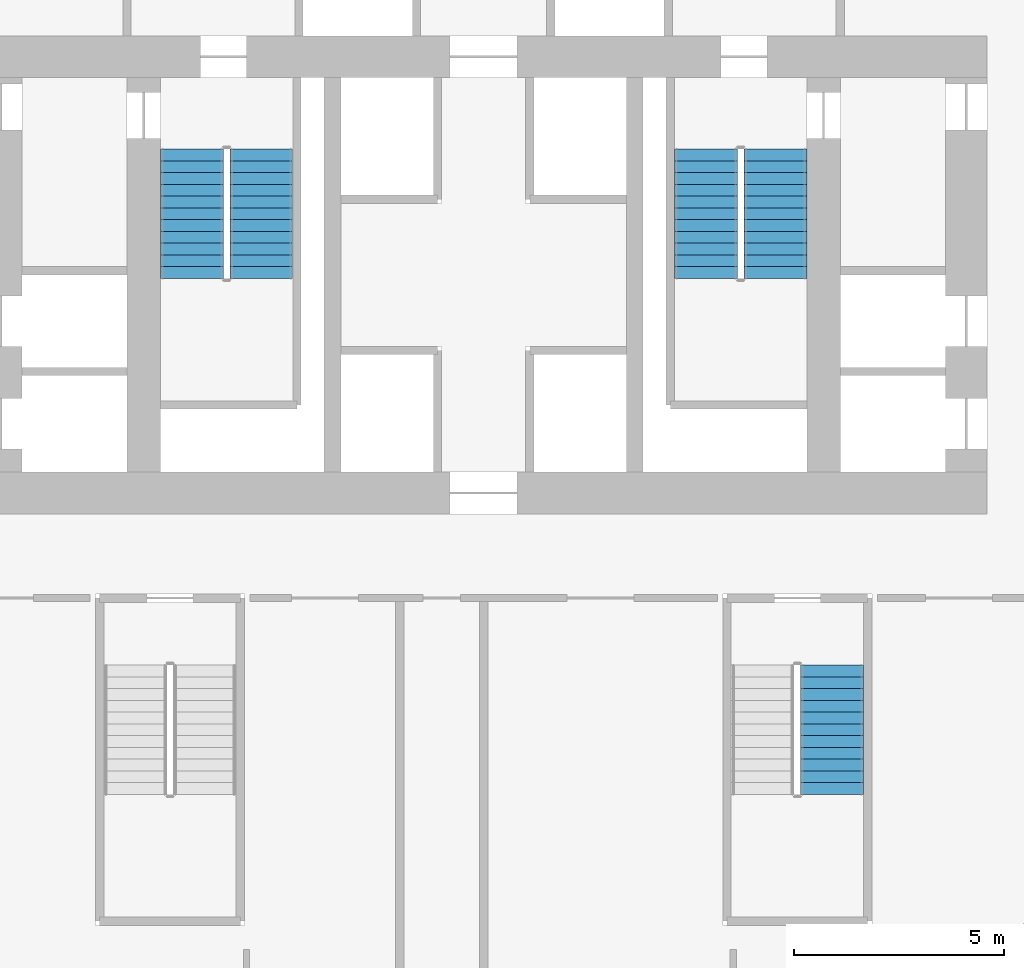
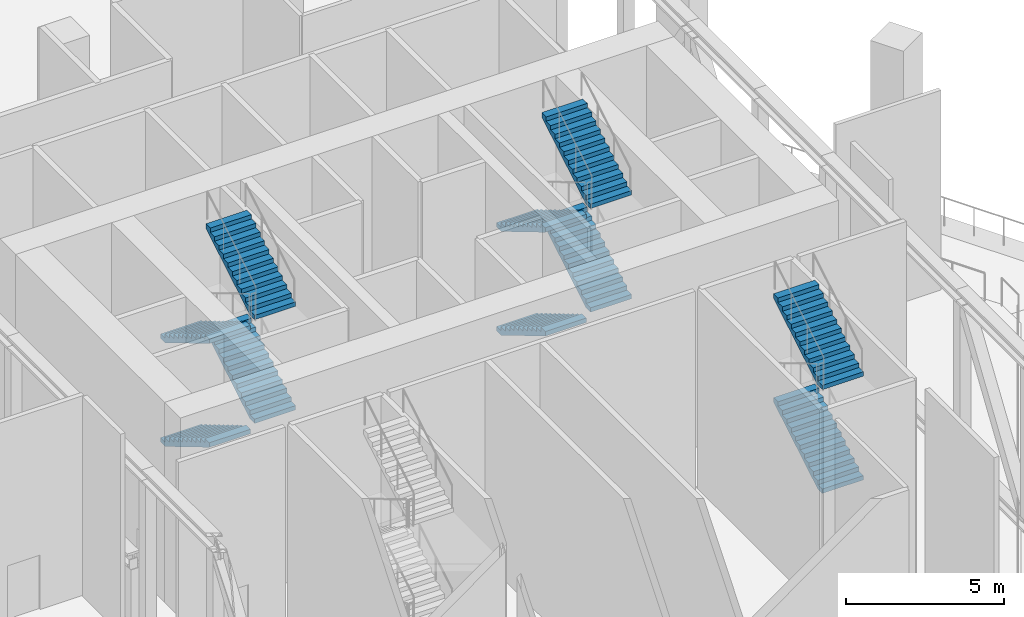
# One storey, part 7 of 16: 10 stair flights, 3 elements without a shape of their own.
"""IFC4 building model written with IfcOpenShell, lengths in metres."""

from ifc_helpers import new_model, si_unit, direction, frame, origin, place, context, subcontext, project, spatial, polyline, outline, extrude, material, type_object, element, aggregate, save


model = new_model("IFC4")

# Units and contexts
model_context = context("Model", 3, precision=1e-05, world=origin(), true_north=direction((0.0, 1.0)))
body_context = subcontext(model_context, "Body", "Model", "MODEL_VIEW")
ifc_project = project(units=[si_unit("LENGTHUNIT", "METRE"), si_unit("AREAUNIT", "SQUARE_METRE"), si_unit("VOLUMEUNIT", "CUBIC_METRE"), si_unit("PLANEANGLEUNIT", "RADIAN"), si_unit("MASSUNIT", "GRAM", prefix="KILO")], contexts=[model_context])

# Site, building, storey
site_placement = place(None, origin())
site = spatial("IfcSite", under=ifc_project, at=site_placement, CompositionType="ELEMENT")
building_placement = place(site_placement, origin())
building = spatial("IfcBuilding", under=site, at=building_placement, Name="Ostrander Bayou Hotel Tower", CompositionType="ELEMENT")
storey_placement = place(building_placement, frame((0.0, 0.0, 108.0)))
storey = spatial("IfcBuildingStorey", under=building, at=storey_placement, Name="L27", CompositionType="ELEMENT", Elevation=108.0)

# Stair, stair flights
ifc_material_1 = material(Name="Concrete f'c 45 MPa", Category="concrete")
stair_type = type_object("IfcStairType", Name="ST1 exit stair 1500 mm f'c 45 MPa", PredefinedType="HALF_TURN_STAIR", material=ifc_material_1)
stair_1_placement = place(storey_placement, origin())
stair_1 = element("IfcStair", 1, at=stair_1_placement, inside=storey, type_object=stair_type, Name="L27 exit stair A", PredefinedType="HALF_TURN_STAIR")
ifc_material_2 = material(Name="Concrete f'c 45 MPa", Category="concrete")
stair_flight_type = type_object("IfcStairFlightType", Name="SF1 stair flight 1500 mm f'c 45 MPa", PredefinedType="STRAIGHT", material=ifc_material_2)
stair_flight_1_placement = place(storey_placement, frame((-6.949951171875, 7.0, 0.0), z_axis=(0.0, 0.0, 1.0), x_axis=(0.0, -1.0, 0.0)))
stair_flight_1 = element("IfcStairFlight", 2, at=stair_flight_1_placement, type_object=stair_flight_type, Name="STA flight 1", NumberOfRisers=12, NumberOfTreads=11, PredefinedType="STRAIGHT", RiserHeight=0.166666667, TreadLength=0.28, context=body_context, shape_type="SweptSolid", body=[
    extrude(outline(polyline([(0.0, 0.0), (0.0, 0.166748046875), (0.280029296875, 0.166748046875), (0.280029296875, 0.333251953125), (0.56005859375, 0.333251953125), (0.56005859375, 0.5), (0.840087890625, 0.5), (0.840087890625, 0.666748046875), (1.1201171875, 0.666748046875), (1.1201171875, 0.833251953125), (1.39990234375, 0.833251953125), (1.39990234375, 1.0), (1.679931640625, 1.0), (1.679931640625, 1.166748046875), (1.9599609375, 1.166748046875), (1.9599609375, 1.333251953125), (2.239990234375, 1.333251953125), (2.239990234375, 1.5), (2.52001953125, 1.5), (2.52001953125, 1.666748046875), (2.800048828125, 1.666748046875), (2.800048828125, 1.833251953125), (3.080078125, 1.833251953125), (3.080078125, 2.0), (3.080078125, 1.658935546875), (0.29296875, 0.0), (0.0, 0.0)])), frame((0.0, 0.75, 0.0), z_axis=(0.0, -1.0, 0.0), x_axis=(1.0, 0.0, 0.0)), (0.0, 0.0, 1.0), 1.5),
])
stair_flight_2_placement = place(storey_placement, frame((-5.300048828125, 3.919921875, 2.0), z_axis=(0.0, 0.0, 1.0), x_axis=(0.0, 1.0, 0.0)))
stair_flight_2 = element("IfcStairFlight", 3, at=stair_flight_2_placement, type_object=stair_flight_type, Name="STA flight 2", NumberOfRisers=12, NumberOfTreads=11, PredefinedType="STRAIGHT", RiserHeight=0.166666667, TreadLength=0.28, context=body_context, shape_type="SweptSolid", body=[
    extrude(outline(polyline([(0.0, 0.0), (0.0, 0.166748046875), (0.280029296875, 0.166748046875), (0.280029296875, 0.333251953125), (0.56005859375, 0.333251953125), (0.56005859375, 0.5), (0.840087890625, 0.5), (0.840087890625, 0.666748046875), (1.1201171875, 0.666748046875), (1.1201171875, 0.833251953125), (1.39990234375, 0.833251953125), (1.39990234375, 1.0), (1.679931640625, 1.0), (1.679931640625, 1.166748046875), (1.9599609375, 1.166748046875), (1.9599609375, 1.333251953125), (2.239990234375, 1.333251953125), (2.239990234375, 1.5), (2.52001953125, 1.5), (2.52001953125, 1.666748046875), (2.800048828125, 1.666748046875), (2.800048828125, 1.833251953125), (3.080078125, 1.833251953125), (3.080078125, 2.0), (3.080078125, 1.658935546875), (0.29296875, 0.0), (0.0, 0.0)])), frame((0.0, 0.75, 0.0), z_axis=(0.0, -1.0, 0.0), x_axis=(1.0, 0.0, 0.0)), (0.0, 0.0, 1.0), 1.5),
])
stair_flight_3_placement = place(storey_placement, frame((-6.949951171875, 7.0, 4.0), z_axis=(0.0, 0.0, 1.0), x_axis=(0.0, -1.0, 0.0)))
stair_flight_3 = element("IfcStairFlight", 4, at=stair_flight_3_placement, type_object=stair_flight_type, Name="STA flight 3", NumberOfRisers=12, NumberOfTreads=11, PredefinedType="STRAIGHT", RiserHeight=0.166666667, TreadLength=0.28, context=body_context, shape_type="SweptSolid", body=[
    extrude(outline(polyline([(0.0, 0.0), (0.0, 0.166748046875), (0.280029296875, 0.166748046875), (0.280029296875, 0.333251953125), (0.56005859375, 0.333251953125), (0.56005859375, 0.5), (0.840087890625, 0.5), (0.840087890625, 0.666748046875), (1.1201171875, 0.666748046875), (1.1201171875, 0.833251953125), (1.39990234375, 0.833251953125), (1.39990234375, 1.0), (1.679931640625, 1.0), (1.679931640625, 1.166748046875), (1.9599609375, 1.166748046875), (1.9599609375, 1.333251953125), (2.239990234375, 1.333251953125), (2.239990234375, 1.5), (2.52001953125, 1.5), (2.52001953125, 1.666748046875), (2.800048828125, 1.666748046875), (2.800048828125, 1.833251953125), (3.080078125, 1.833251953125), (3.080078125, 2.0), (3.080078125, 1.658935546875), (0.29296875, 0.0), (0.0, 0.0)])), frame((0.0, 0.75, 0.0), z_axis=(0.0, -1.0, 0.0), x_axis=(1.0, 0.0, 0.0)), (0.0, 0.0, 1.0), 1.5),
])
stair_flight_4_placement = place(storey_placement, frame((-5.300048828125, 3.919921875, 6.0), z_axis=(0.0, 0.0, 1.0), x_axis=(0.0, 1.0, 0.0)))
stair_flight_4 = element("IfcStairFlight", 5, at=stair_flight_4_placement, type_object=stair_flight_type, Name="STA flight 4", NumberOfRisers=12, NumberOfTreads=11, PredefinedType="STRAIGHT", RiserHeight=0.166666667, TreadLength=0.28, context=body_context, shape_type="SweptSolid", body=[
    extrude(outline(polyline([(0.0, 0.0), (0.0, 0.166748046875), (0.280029296875, 0.166748046875), (0.280029296875, 0.333251953125), (0.56005859375, 0.333251953125), (0.56005859375, 0.5), (0.840087890625, 0.5), (0.840087890625, 0.666748046875), (1.1201171875, 0.666748046875), (1.1201171875, 0.833251953125), (1.39990234375, 0.833251953125), (1.39990234375, 1.0), (1.679931640625, 1.0), (1.679931640625, 1.166748046875), (1.9599609375, 1.166748046875), (1.9599609375, 1.333251953125), (2.239990234375, 1.333251953125), (2.239990234375, 1.5), (2.52001953125, 1.5), (2.52001953125, 1.666748046875), (2.800048828125, 1.666748046875), (2.800048828125, 1.833251953125), (3.080078125, 1.833251953125), (3.080078125, 2.0), (3.080078125, 1.658935546875), (0.29296875, 0.0), (0.0, 0.0)])), frame((0.0, 0.75, 0.0), z_axis=(0.0, -1.0, 0.0), x_axis=(1.0, 0.0, 0.0)), (0.0, 0.0, 1.0), 1.5),
])
aggregate(stair_1, [stair_flight_1, stair_flight_2, stair_flight_3, stair_flight_4])

stair_2_placement = place(storey_placement, origin())
stair_2 = element("IfcStair", 6, at=stair_2_placement, inside=storey, type_object=stair_type, Name="L27 exit stair B", PredefinedType="HALF_TURN_STAIR")
stair_flight_5_placement = place(storey_placement, frame((5.300048828125, 7.0, 0.0), z_axis=(0.0, 0.0, 1.0), x_axis=(0.0, -1.0, 0.0)))
stair_flight_5 = element("IfcStairFlight", 7, at=stair_flight_5_placement, type_object=stair_flight_type, Name="STB flight 1", NumberOfRisers=12, NumberOfTreads=11, PredefinedType="STRAIGHT", RiserHeight=0.166666667, TreadLength=0.28, context=body_context, shape_type="SweptSolid", body=[
    extrude(outline(polyline([(0.0, 0.0), (0.0, 0.166748046875), (0.280029296875, 0.166748046875), (0.280029296875, 0.333251953125), (0.56005859375, 0.333251953125), (0.56005859375, 0.5), (0.840087890625, 0.5), (0.840087890625, 0.666748046875), (1.1201171875, 0.666748046875), (1.1201171875, 0.833251953125), (1.39990234375, 0.833251953125), (1.39990234375, 1.0), (1.679931640625, 1.0), (1.679931640625, 1.166748046875), (1.9599609375, 1.166748046875), (1.9599609375, 1.333251953125), (2.239990234375, 1.333251953125), (2.239990234375, 1.5), (2.52001953125, 1.5), (2.52001953125, 1.666748046875), (2.800048828125, 1.666748046875), (2.800048828125, 1.833251953125), (3.080078125, 1.833251953125), (3.080078125, 2.0), (3.080078125, 1.658935546875), (0.29296875, 0.0), (0.0, 0.0)])), frame((0.0, 0.75, 0.0), z_axis=(0.0, -1.0, 0.0), x_axis=(1.0, 0.0, 0.0)), (0.0, 0.0, 1.0), 1.5),
])
stair_flight_6_placement = place(storey_placement, frame((6.949951171875, 3.919921875, 2.0), z_axis=(0.0, 0.0, 1.0), x_axis=(0.0, 1.0, 0.0)))
stair_flight_6 = element("IfcStairFlight", 8, at=stair_flight_6_placement, type_object=stair_flight_type, Name="STB flight 2", NumberOfRisers=12, NumberOfTreads=11, PredefinedType="STRAIGHT", RiserHeight=0.166666667, TreadLength=0.28, context=body_context, shape_type="SweptSolid", body=[
    extrude(outline(polyline([(0.0, 0.0), (0.0, 0.166748046875), (0.280029296875, 0.166748046875), (0.280029296875, 0.333251953125), (0.56005859375, 0.333251953125), (0.56005859375, 0.5), (0.840087890625, 0.5), (0.840087890625, 0.666748046875), (1.1201171875, 0.666748046875), (1.1201171875, 0.833251953125), (1.39990234375, 0.833251953125), (1.39990234375, 1.0), (1.679931640625, 1.0), (1.679931640625, 1.166748046875), (1.9599609375, 1.166748046875), (1.9599609375, 1.333251953125), (2.239990234375, 1.333251953125), (2.239990234375, 1.5), (2.52001953125, 1.5), (2.52001953125, 1.666748046875), (2.800048828125, 1.666748046875), (2.800048828125, 1.833251953125), (3.080078125, 1.833251953125), (3.080078125, 2.0), (3.080078125, 1.658935546875), (0.29296875, 0.0), (0.0, 0.0)])), frame((0.0, 0.75, 0.0), z_axis=(0.0, -1.0, 0.0), x_axis=(1.0, 0.0, 0.0)), (0.0, 0.0, 1.0), 1.5),
])
stair_flight_7_placement = place(storey_placement, frame((5.300048828125, 7.0, 4.0), z_axis=(0.0, 0.0, 1.0), x_axis=(0.0, -1.0, 0.0)))
stair_flight_7 = element("IfcStairFlight", 9, at=stair_flight_7_placement, type_object=stair_flight_type, Name="STB flight 3", NumberOfRisers=12, NumberOfTreads=11, PredefinedType="STRAIGHT", RiserHeight=0.166666667, TreadLength=0.28, context=body_context, shape_type="SweptSolid", body=[
    extrude(outline(polyline([(0.0, 0.0), (0.0, 0.166748046875), (0.280029296875, 0.166748046875), (0.280029296875, 0.333251953125), (0.56005859375, 0.333251953125), (0.56005859375, 0.5), (0.840087890625, 0.5), (0.840087890625, 0.666748046875), (1.1201171875, 0.666748046875), (1.1201171875, 0.833251953125), (1.39990234375, 0.833251953125), (1.39990234375, 1.0), (1.679931640625, 1.0), (1.679931640625, 1.166748046875), (1.9599609375, 1.166748046875), (1.9599609375, 1.333251953125), (2.239990234375, 1.333251953125), (2.239990234375, 1.5), (2.52001953125, 1.5), (2.52001953125, 1.666748046875), (2.800048828125, 1.666748046875), (2.800048828125, 1.833251953125), (3.080078125, 1.833251953125), (3.080078125, 2.0), (3.080078125, 1.658935546875), (0.29296875, 0.0), (0.0, 0.0)])), frame((0.0, 0.75, 0.0), z_axis=(0.0, -1.0, 0.0), x_axis=(1.0, 0.0, 0.0)), (0.0, 0.0, 1.0), 1.5),
])
stair_flight_8_placement = place(storey_placement, frame((6.949951171875, 3.919921875, 6.0), z_axis=(0.0, 0.0, 1.0), x_axis=(0.0, 1.0, 0.0)))
stair_flight_8 = element("IfcStairFlight", 10, at=stair_flight_8_placement, type_object=stair_flight_type, Name="STB flight 4", NumberOfRisers=12, NumberOfTreads=11, PredefinedType="STRAIGHT", RiserHeight=0.166666667, TreadLength=0.28, context=body_context, shape_type="SweptSolid", body=[
    extrude(outline(polyline([(0.0, 0.0), (0.0, 0.166748046875), (0.280029296875, 0.166748046875), (0.280029296875, 0.333251953125), (0.56005859375, 0.333251953125), (0.56005859375, 0.5), (0.840087890625, 0.5), (0.840087890625, 0.666748046875), (1.1201171875, 0.666748046875), (1.1201171875, 0.833251953125), (1.39990234375, 0.833251953125), (1.39990234375, 1.0), (1.679931640625, 1.0), (1.679931640625, 1.166748046875), (1.9599609375, 1.166748046875), (1.9599609375, 1.333251953125), (2.239990234375, 1.333251953125), (2.239990234375, 1.5), (2.52001953125, 1.5), (2.52001953125, 1.666748046875), (2.800048828125, 1.666748046875), (2.800048828125, 1.833251953125), (3.080078125, 1.833251953125), (3.080078125, 2.0), (3.080078125, 1.658935546875), (0.29296875, 0.0), (0.0, 0.0)])), frame((0.0, 0.75, 0.0), z_axis=(0.0, -1.0, 0.0), x_axis=(1.0, 0.0, 0.0)), (0.0, 0.0, 1.0), 1.5),
])
aggregate(stair_2, [stair_flight_5, stair_flight_6, stair_flight_7, stair_flight_8])

stair_3_placement = place(storey_placement, origin())
stair_3 = element("IfcStair", 11, at=stair_3_placement, inside=storey, type_object=stair_type, Name="L27 exit stair C", PredefinedType="HALF_TURN_STAIR")
stair_flight_9_placement = place(storey_placement, frame((8.300048828125, -8.3798828125, 2.0), z_axis=(0.0, 0.0, 1.0), x_axis=(0.0, 1.0, 0.0)))
stair_flight_9 = element("IfcStairFlight", 12, at=stair_flight_9_placement, type_object=stair_flight_type, Name="STC flight 2", NumberOfRisers=12, NumberOfTreads=11, PredefinedType="STRAIGHT", RiserHeight=0.166666667, TreadLength=0.28, context=body_context, shape_type="SweptSolid", body=[
    extrude(outline(polyline([(0.0, 0.0), (0.0, 0.166748046875), (0.280029296875, 0.166748046875), (0.280029296875, 0.333251953125), (0.56005859375, 0.333251953125), (0.56005859375, 0.5), (0.840087890625, 0.5), (0.840087890625, 0.666748046875), (1.1201171875, 0.666748046875), (1.1201171875, 0.833251953125), (1.39990234375, 0.833251953125), (1.39990234375, 1.0), (1.679931640625, 1.0), (1.679931640625, 1.166748046875), (1.9599609375, 1.166748046875), (1.9599609375, 1.333251953125), (2.239990234375, 1.333251953125), (2.239990234375, 1.5), (2.52001953125, 1.5), (2.52001953125, 1.666748046875), (2.800048828125, 1.666748046875), (2.800048828125, 1.833251953125), (3.080078125, 1.833251953125), (3.080078125, 2.0), (3.080078125, 1.658935546875), (0.29296875, 0.0), (0.0, 0.0)])), frame((0.0, 0.75, 0.0), z_axis=(0.0, -1.0, 0.0), x_axis=(1.0, 0.0, 0.0)), (0.0, 0.0, 1.0), 1.5),
])
stair_flight_10_placement = place(storey_placement, frame((8.300048828125, -8.3798828125, 6.0), z_axis=(0.0, 0.0, 1.0), x_axis=(0.0, 1.0, 0.0)))
stair_flight_10 = element("IfcStairFlight", 13, at=stair_flight_10_placement, type_object=stair_flight_type, Name="STC flight 4", NumberOfRisers=12, NumberOfTreads=11, PredefinedType="STRAIGHT", RiserHeight=0.166666667, TreadLength=0.28, context=body_context, shape_type="SweptSolid", body=[
    extrude(outline(polyline([(0.0, 0.0), (0.0, 0.166748046875), (0.280029296875, 0.166748046875), (0.280029296875, 0.333251953125), (0.56005859375, 0.333251953125), (0.56005859375, 0.5), (0.840087890625, 0.5), (0.840087890625, 0.666748046875), (1.1201171875, 0.666748046875), (1.1201171875, 0.833251953125), (1.39990234375, 0.833251953125), (1.39990234375, 1.0), (1.679931640625, 1.0), (1.679931640625, 1.166748046875), (1.9599609375, 1.166748046875), (1.9599609375, 1.333251953125), (2.239990234375, 1.333251953125), (2.239990234375, 1.5), (2.52001953125, 1.5), (2.52001953125, 1.666748046875), (2.800048828125, 1.666748046875), (2.800048828125, 1.833251953125), (3.080078125, 1.833251953125), (3.080078125, 2.0), (3.080078125, 1.658935546875), (0.29296875, 0.0), (0.0, 0.0)])), frame((0.0, 0.75, 0.0), z_axis=(0.0, -1.0, 0.0), x_axis=(1.0, 0.0, 0.0)), (0.0, 0.0, 1.0), 1.5),
])
aggregate(stair_3, [stair_flight_9, stair_flight_10])

save(model, "model.ifc")
